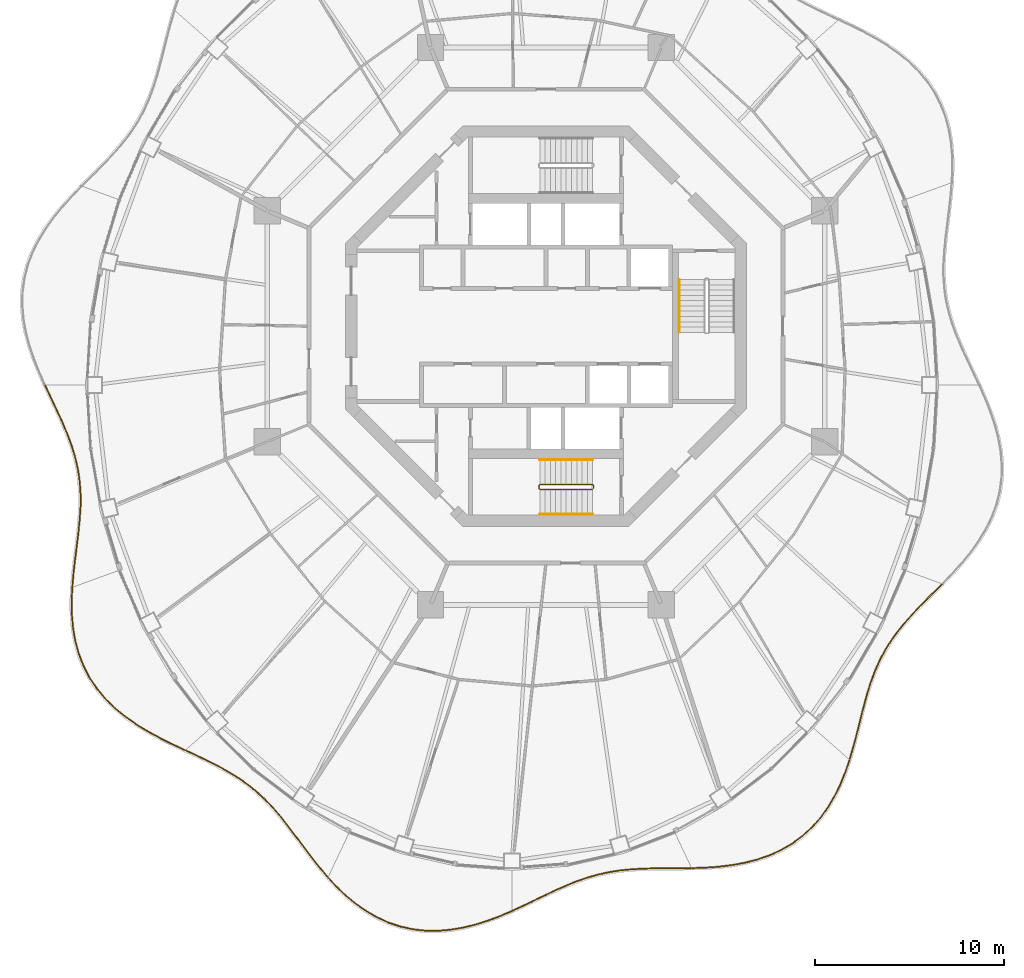
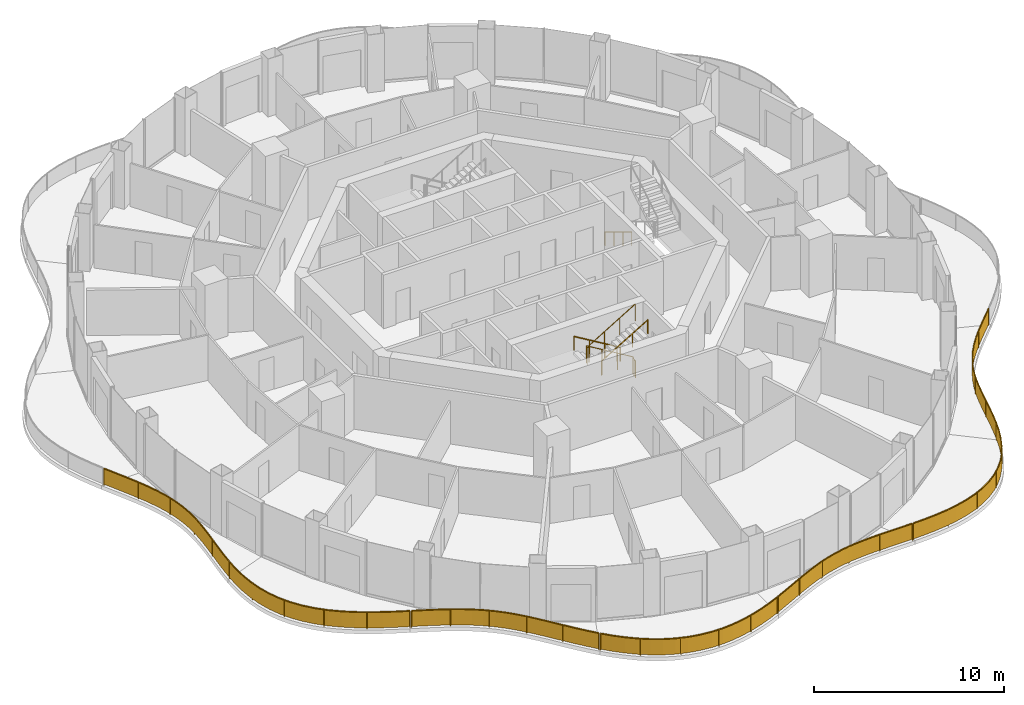
# One storey, part 15 of 17: 11 railings.
"""IFC4 building model written with IfcOpenShell, lengths in metres."""

import ifcopenshell
import ifcopenshell.guid

model = None  # the IFC model being written
_history = None  # IfcOwnerHistory: only IFC2X3 demands one
_inside = {}  # id of a spatial element -> (the spatial element, [elements in it])
_under = {}  # id of a project, library or spatial element -> (it, [spatial elements below it])
_declared = {}  # id of a project -> (the project, [libraries it declares])
_typed = {}  # id of a type object -> (the type object, [elements of that type])
_made_of = {}  # id of a material, layer set ... -> (it, [elements and type objects made of it])


def new_model(schema):
    """Start an empty IFC model of exactly this schema.

    Asked for "IFC4X3", IfcOpenShell would pick the latest addendum, in which some entities
    have other attributes; the version numbers below select the first issue.
    IFC2X3 requires an IfcOwnerHistory on every rooted entity: one is made here for all.
    """
    global model, _history
    if schema == "IFC4X3":
        model = ifcopenshell.file(schema_version=(4, 3, 0, 0))
    else:
        model = ifcopenshell.file(schema=schema)
    _inside.clear()
    _under.clear()
    _declared.clear()
    _typed.clear()
    _made_of.clear()
    _history = None
    if model.schema == "IFC2X3":
        org = make("IfcOrganization", Name="unknown")
        user = make(
            "IfcPersonAndOrganization",
            ThePerson=make("IfcPerson", FamilyName="unknown"),
            TheOrganization=org,
        )
        app = make(
            "IfcApplication",
            ApplicationDeveloper=org,
            Version="unknown",
            ApplicationFullName="unknown",
            ApplicationIdentifier="unknown",
        )
        _history = make(
            "IfcOwnerHistory",
            OwningUser=user,
            OwningApplication=app,
            ChangeAction="ADDED",
            CreationDate=0,
        )
    return model


def make(cls, **values):
    """One entity of the class cls with the attributes given. An attribute that is None is left unset."""
    return model.create_entity(
        cls, **{name: value for name, value in values.items() if value is not None}
    )


def rooted(cls, **values):
    """An entity with a GlobalId (a new one), such as an element, a storey or a relation."""
    return make(cls, GlobalId=ifcopenshell.guid.new(), OwnerHistory=_history, **values)


def si_unit(unit_type, name, prefix=None):
    """IfcSIUnit, for example si_unit("LENGTHUNIT", "METRE", prefix="MILLI")."""
    return make("IfcSIUnit", UnitType=unit_type, Prefix=prefix, Name=name)


def assignment(units):
    """IfcUnitAssignment: the units of a project."""
    return None if units is None else make("IfcUnitAssignment", Units=units)


def point(xyz):
    """IfcCartesianPoint."""
    return None if xyz is None else make("IfcCartesianPoint", Coordinates=xyz)


def direction(xyz):
    """IfcDirection."""
    return None if xyz is None else make("IfcDirection", DirectionRatios=xyz)


def frame(location, z_axis=None, x_axis=None):
    """IfcAxis2Placement3D, a coordinate frame: its origin and axes. An axis left out is left unset."""
    return make(
        "IfcAxis2Placement3D",
        Location=point(location),
        Axis=direction(z_axis),
        RefDirection=direction(x_axis),
    )


def frame_2d(location, x_axis=None):
    """IfcAxis2Placement2D, a coordinate frame in the plane: its origin and x axis."""
    return make(
        "IfcAxis2Placement2D", Location=point(location), RefDirection=direction(x_axis)
    )


def origin():
    """The frame at (0, 0, 0) with its axes left unset."""
    return frame((0.0, 0.0, 0.0))


def origin_2d():
    """The frame at (0, 0) in the plane with its x axis left unset."""
    return frame_2d((0.0, 0.0))


def place(relative_to, where):
    """IfcLocalPlacement: puts the frame where relative to a parent placement (None: the world)."""
    return make(
        "IfcLocalPlacement", PlacementRelTo=relative_to, RelativePlacement=where
    )


def context(
    kind, dimensions, precision=None, world=None, true_north=None, identifier=None
):
    """IfcGeometricRepresentationContext, for example the 3D "Model" context."""
    return make(
        "IfcGeometricRepresentationContext",
        ContextIdentifier=identifier,
        ContextType=kind,
        CoordinateSpaceDimension=dimensions,
        Precision=precision,
        WorldCoordinateSystem=world,
        TrueNorth=true_north,
    )


def subcontext(parent, identifier, kind, view, scale=None):
    """IfcGeometricRepresentationSubContext, for example "Body" below "Model"."""
    return make(
        "IfcGeometricRepresentationSubContext",
        ContextIdentifier=identifier,
        ContextType=kind,
        ParentContext=parent,
        TargetScale=scale,
        TargetView=view,
    )


def project(units=None, contexts=None):
    """IfcProject with its units and contexts."""
    return rooted(
        "IfcProject",
        Name="project",
        RepresentationContexts=contexts,
        UnitsInContext=assignment(units),
    )


def spatial(cls, under=None, at=None, **own):
    """A site, building, storey or space (cls), placed at a placement, below another one or the project."""
    s = rooted(cls, ObjectPlacement=at, **own)
    if under is not None:
        _under.setdefault(under.id(), (under, []))[1].append(s)
    return s


def polyline(points):
    """IfcPolyline through the points."""
    return make("IfcPolyline", Points=[point(p) for p in points])


def profile(cls, at=None, kind="AREA", **sizes):
    """A parametric profile (cls). Its sizes go by their IFC names, for example OverallWidth=200.0."""
    return make(cls, ProfileType=kind, Position=at, **sizes)


def rectangle(**sizes):
    """IfcRectangleProfileDef."""
    return profile("IfcRectangleProfileDef", **sizes)


def circle(**sizes):
    """IfcCircleProfileDef."""
    return profile("IfcCircleProfileDef", **sizes)


def outline(outer, holes=None, kind="AREA"):
    """IfcArbitraryClosedProfileDef: a profile drawn as a closed curve; with holes, ...WithVoids."""
    if holes is None:
        return make("IfcArbitraryClosedProfileDef", ProfileType=kind, OuterCurve=outer)
    return make(
        "IfcArbitraryProfileDefWithVoids",
        ProfileType=kind,
        OuterCurve=outer,
        InnerCurves=holes,
    )


def extrude(swept, where, along, depth):
    """IfcExtrudedAreaSolid: the profile swept, set in the frame where, extruded along a direction by depth."""
    return make(
        "IfcExtrudedAreaSolid",
        SweptArea=swept,
        Position=where,
        ExtrudedDirection=direction(along),
        Depth=depth,
    )


def shape(context_of_items, identifier, shape_type, items):
    """IfcShapeRepresentation: the items that make up one representation, for example the "Body"."""
    return make(
        "IfcShapeRepresentation",
        ContextOfItems=context_of_items,
        RepresentationIdentifier=identifier,
        RepresentationType=shape_type,
        Items=items,
    )


def material(Name=None, Category=None):
    """IfcMaterial."""
    return make("IfcMaterial", Name=Name, Category=Category)


def made_of(thing, what):
    """Note that an element or type object is made of a material, layer set ...; save() writes the relation."""
    if what is not None:
        _made_of.setdefault(what.id(), (what, []))[1].append(thing)
    return thing


def type_object(cls, material=None, **own):
    """A type object (cls), such as IfcWallType, which elements share."""
    return made_of(rooted(cls, **own), material)


def element(
    cls,
    number,
    at=None,
    inside=None,
    cuts=None,
    type_object=None,
    material=None,
    context=None,
    identifier="Body",
    shape_type=None,
    held_by="IfcProductDefinitionShape",
    body=None,
    shapes=None,
    **own,
):
    """One element of the class cls, such as IfcWall. Its Tag is "e" and its number.

    at: its placement. inside: the storey or other place that contains it. cuts: it is an
    opening in that element (IfcRelVoidsElement). A single representation is given by context,
    identifier, shape_type and body (its items); several are given by shapes. held_by: the class
    of the entity that holds the representations. save() writes the other relations.
    """
    e = rooted(cls, Tag="e%d" % number, ObjectPlacement=at, **own)
    if body is not None:
        shapes = [shape(context, identifier, shape_type, body)]
    if shapes is not None:
        e.Representation = make(held_by, Representations=shapes)
    if inside is not None:
        _inside.setdefault(inside.id(), (inside, []))[1].append(e)
    if cuts is not None:
        rooted(
            "IfcRelVoidsElement", RelatingBuildingElement=cuts, RelatedOpeningElement=e
        )
    if type_object is not None:
        _typed.setdefault(type_object.id(), (type_object, []))[1].append(e)
    return made_of(e, material)


def aggregate(whole, parts):
    """IfcRelAggregates: a whole, such as a stair, and the parts it consists of."""
    return rooted("IfcRelAggregates", RelatingObject=whole, RelatedObjects=parts)


def save(model, path):
    """Write the relations noted so far, then the file.

    IfcRelAggregates (storeys below a building ...), IfcRelContainedInSpatialStructure (elements
    in a storey), IfcRelDefinesByType, IfcRelAssociatesMaterial and IfcRelDeclares: one each for
    every whole, place, type object, material and project.
    """
    for whole, parts in _under.values():
        aggregate(whole, parts)
    for where, things in _inside.values():
        rooted(
            "IfcRelContainedInSpatialStructure",
            RelatedElements=things,
            RelatingStructure=where,
        )
    for kind, things in _typed.values():
        rooted("IfcRelDefinesByType", RelatedObjects=things, RelatingType=kind)
    for what, things in _made_of.values():
        rooted("IfcRelAssociatesMaterial", RelatedObjects=things, RelatingMaterial=what)
    for by, libraries in _declared.values():
        rooted("IfcRelDeclares", RelatingContext=by, RelatedDefinitions=libraries)
    model.write(path)


model = new_model("IFC4")

# Units and contexts
model_context = context("Model", 3, precision=1e-05, world=origin(), true_north=direction((0.0, 1.0)))
body_context = subcontext(model_context, "Body", "Model", "MODEL_VIEW")
ifc_project = project(units=[si_unit("LENGTHUNIT", "METRE"), si_unit("AREAUNIT", "SQUARE_METRE"), si_unit("VOLUMEUNIT", "CUBIC_METRE"), si_unit("PLANEANGLEUNIT", "RADIAN"), si_unit("MASSUNIT", "GRAM", prefix="KILO")], contexts=[model_context])

# Site, building, storey
site_placement = place(None, origin())
site = spatial("IfcSite", under=ifc_project, at=site_placement, CompositionType="ELEMENT")
building_placement = place(site_placement, origin())
building = spatial("IfcBuilding", under=site, at=building_placement, Name="Nagisa Residences", CompositionType="ELEMENT")
storey_placement = place(building_placement, frame((0.0, 0.0, 269.60009765625)))
storey = spatial("IfcBuildingStorey", under=building, at=storey_placement, Name="L68", CompositionType="ELEMENT", Elevation=269.60009765625)

# Railings
ifc_material_1 = material(Name="Stainless steel 316", Category="steel")
railing_type_1 = type_object("IfcRailingType", Name="BALCONY GUARD 1100", PredefinedType="BALUSTRADE", material=ifc_material_1)
railing_1_placement = place(storey_placement, frame((-26.554443359375, -3.152099609375, 0.0)))
element("IfcRailing", 1, at=railing_1_placement, inside=storey, type_object=railing_type_1, Name="guard:L68:bal08-0", PredefinedType="BALUSTRADE", context=body_context, shape_type="SweptSolid", body=[
    extrude(outline(polyline([(0.31982421875, -0.6181640625), (0.022705078125, 0.0107421875), (-0.022705078125, -0.0107421875), (0.2744140625, -0.6396484375), (0.586181640625, -1.296875), (0.88232421875, -1.942626953125), (1.152099609375, -2.57958984375), (1.385009765625, -3.210693359375), (1.572998046875, -3.826171875), (1.71435546875, -4.4580078125), (1.806396484375, -5.096435546875), (1.849609375, -5.7451171875), (1.8486328125, -6.407958984375), (1.806640625, -7.0732421875), (1.73876953125, -7.769287109375), (1.65283203125, -8.482421875), (1.561279296875, -9.211181640625), (1.47705078125, -9.952392578125), (1.4150390625, -10.65625), (1.46484375, -10.66064453125), (1.52685546875, -9.957275390625), (1.611083984375, -9.217041015625), (1.70263671875, -8.48876953125), (1.78857421875, -7.774658203125), (1.8564453125, -7.0771484375), (1.8984375, -6.409423828125), (1.89990234375, -5.74365234375), (1.856201171875, -5.091064453125), (1.763671875, -4.44873046875), (1.621337890625, -3.8134765625), (1.432373046875, -3.194580078125), (1.198486328125, -2.56103515625), (0.92822265625, -1.922607421875), (0.631591796875, -1.27587890625), (0.31982421875, -0.6181640625)])), frame((0.0, 0.0, 1.050048828125)), (0.0, 0.0, 1.0), 0.050048828125),
    extrude(outline(polyline([(0.303466796875, -0.6259765625), (0.00634765625, 0.0029296875), (-0.00634765625, -0.0029296875), (0.290771484375, -0.6318359375), (0.6025390625, -1.289306640625), (0.89892578125, -1.935546875), (1.168701171875, -2.572998046875), (1.402099609375, -3.204833984375), (1.59033203125, -3.821533203125), (1.732177734375, -4.45458984375), (1.82421875, -5.094482421875), (1.86767578125, -5.74462890625), (1.866455078125, -6.408447265625), (1.824462890625, -7.07470703125), (1.756591796875, -7.771240234375), (1.6708984375, -8.484619140625), (1.579345703125, -9.21337890625), (1.494873046875, -9.9541015625), (1.432861328125, -10.65771484375), (1.447021484375, -10.6591796875), (1.509033203125, -9.95556640625), (1.593017578125, -9.21484375), (1.6845703125, -8.486572265625), (1.770751953125, -7.772705078125), (1.838623046875, -7.07568359375), (1.880615234375, -6.408935546875), (1.8818359375, -5.744140625), (1.83837890625, -5.093017578125), (1.745849609375, -4.4521484375), (1.60400390625, -3.818115234375), (1.415283203125, -3.200439453125), (1.181884765625, -2.567626953125), (0.91162109375, -1.9296875), (0.615234375, -1.283447265625), (0.303466796875, -0.6259765625)])), frame((0.0, 0.0, 0.06005859375)), (0.0, 0.0, 1.0), 0.989990234375),
    extrude(rectangle(XDim=0.0400390625, YDim=0.0400390625, at=origin_2d()), origin(), (0.0, 0.0, 1.0), 1.050048828125),
    extrude(rectangle(XDim=0.0400390625, YDim=0.0400390625, at=origin_2d()), frame((0.933349609375, -1.9990234375, 0.0)), (0.0, 0.0, 1.0), 1.050048828125),
    extrude(rectangle(XDim=0.0400390625, YDim=0.0400390625, at=origin_2d()), frame((1.655517578125, -4.079833984375, 0.0)), (0.0, 0.0, 1.0), 1.050048828125),
    extrude(rectangle(XDim=0.0400390625, YDim=0.0400390625, at=origin_2d()), frame((1.873779296875, -6.268798828125, 0.0)), (0.0, 0.0, 1.0), 1.050048828125),
    extrude(rectangle(XDim=0.0400390625, YDim=0.0400390625, at=origin_2d()), frame((1.68017578125, -8.465576171875, 0.0)), (0.0, 0.0, 1.0), 1.050048828125),
    extrude(rectangle(XDim=0.0400390625, YDim=0.0400390625, at=origin_2d()), frame((1.43994140625, -10.658447265625, 0.0)), (0.0, 0.0, 1.0), 1.050048828125),
])
railing_2_placement = place(storey_placement, frame((-25.12060546875, -13.887451171875, 0.0)))
element("IfcRailing", 2, at=railing_2_placement, inside=storey, type_object=railing_type_1, Name="guard:L68:bal09-0", PredefinedType="BALUSTRADE", context=body_context, shape_type="SweptSolid", body=[
    extrude(outline(polyline([(-0.00537109375, -0.683349609375), (0.02490234375, -0.001220703125), (-0.02490234375, 0.001220703125), (-0.0556640625, -0.682861328125), (-0.04345703125, -1.409423828125), (0.019775390625, -2.12744140625), (0.142578125, -2.830078125), (0.329833984375, -3.510986328125), (0.578369140625, -4.15087890625), (0.902099609375, -4.77099609375), (1.29248046875, -5.353759765625), (1.74609375, -5.89599609375), (2.256591796875, -6.396484375), (2.807861328125, -6.84326171875), (3.40576171875, -7.260986328125), (4.033935546875, -7.643310546875), (4.6806640625, -7.99462890625), (5.335693359375, -8.32080078125), (5.948974609375, -8.608642578125), (5.970458984375, -8.563232421875), (5.357666015625, -8.27587890625), (4.70361328125, -7.9501953125), (4.058837890625, -7.599853515625), (3.43310546875, -7.218994140625), (2.838134765625, -6.80322265625), (2.289794921875, -6.35888671875), (1.78271484375, -5.86181640625), (1.33251953125, -5.323486328125), (0.945068359375, -4.74560546875), (0.623779296875, -4.13037109375), (0.377197265625, -3.495361328125), (0.19140625, -2.8193359375), (0.069580078125, -2.12109375), (0.00634765625, -1.406982421875), (-0.00537109375, -0.683349609375)])), frame((0.0, 0.0, 1.050048828125)), (0.0, 0.0, 1.0), 0.050048828125),
    extrude(outline(polyline([(-0.0234375, -0.68310546875), (0.007080078125, -0.000244140625), (-0.007080078125, 0.000244140625), (-0.03759765625, -0.68310546875), (-0.025634765625, -1.408447265625), (0.037841796875, -2.125244140625), (0.16015625, -2.826171875), (0.346923828125, -3.50537109375), (0.5947265625, -4.1435546875), (0.91748046875, -4.761962890625), (1.306884765625, -5.3427734375), (1.75927734375, -5.883544921875), (2.2685546875, -6.3828125), (2.81884765625, -6.828857421875), (3.41552734375, -7.245849609375), (4.04296875, -7.627685546875), (4.68896484375, -7.978515625), (5.34375, -8.3046875), (5.956787109375, -8.59228515625), (5.962646484375, -8.57958984375), (5.349609375, -8.2919921875), (4.6953125, -7.96630859375), (4.0498046875, -7.615478515625), (3.42333984375, -7.234130859375), (2.8271484375, -6.817626953125), (2.27783203125, -6.37255859375), (1.76953125, -5.874267578125), (1.318115234375, -5.33447265625), (0.9296875, -4.754638671875), (0.607421875, -4.1376953125), (0.360107421875, -3.5009765625), (0.173828125, -2.8232421875), (0.051513671875, -2.123291015625), (-0.011474609375, -1.407958984375), (-0.0234375, -0.68310546875)])), frame((0.0, 0.0, 0.06005859375)), (0.0, 0.0, 1.0), 0.989990234375),
    extrude(rectangle(XDim=0.0400390625, YDim=0.0400390625, at=origin_2d()), origin(), (0.0, 0.0, 1.0), 1.050048828125),
    extrude(rectangle(XDim=0.0400390625, YDim=0.0400390625, at=origin_2d()), frame((0.069091796875, -2.264404296875, 0.0)), (0.0, 0.0, 1.0), 1.050048828125),
    extrude(rectangle(XDim=0.0400390625, YDim=0.0400390625, at=origin_2d()), frame((0.746337890625, -4.4189453125, 0.0)), (0.0, 0.0, 1.0), 1.050048828125),
    extrude(rectangle(XDim=0.0400390625, YDim=0.0400390625, at=origin_2d()), frame((2.1103515625, -6.218017578125, 0.0)), (0.0, 0.0, 1.0), 1.050048828125),
    extrude(rectangle(XDim=0.0400390625, YDim=0.0400390625, at=origin_2d()), frame((3.93798828125, -7.5556640625, 0.0)), (0.0, 0.0, 1.0), 1.050048828125),
    extrude(rectangle(XDim=0.0400390625, YDim=0.0400390625, at=origin_2d()), frame((5.959716796875, -8.5859375, 0.0)), (0.0, 0.0, 1.0), 1.050048828125),
])
railing_3_placement = place(storey_placement, frame((-19.091552734375, -22.50390625, 0.0)))
element("IfcRailing", 3, at=railing_3_placement, inside=storey, type_object=railing_type_1, Name="guard:L68:bal10-0", PredefinedType="BALUSTRADE", context=body_context, shape_type="SweptSolid", body=[
    extrude(outline(polyline([(0.583251953125, -0.2421875), (0.010498046875, 0.022705078125), (-0.010498046875, -0.022705078125), (0.561767578125, -0.28759765625), (1.157470703125, -0.572509765625), (1.730712890625, -0.864013671875), (2.278564453125, -1.169189453125), (2.79833984375, -1.494140625), (3.278076171875, -1.833740234375), (3.743408203125, -2.212890625), (4.18505859375, -2.623779296875), (4.607421875, -3.06689453125), (5.015869140625, -3.541259765625), (5.403076171875, -4.03515625), (5.802978515625, -4.5615234375), (6.208740234375, -5.104736328125), (6.626708984375, -5.656982421875), (7.0634765625, -6.208740234375), (7.490966796875, -6.716064453125), (7.529052734375, -6.683837890625), (7.10205078125, -6.177001953125), (6.666259765625, -5.626220703125), (6.248779296875, -5.074462890625), (5.843017578125, -4.53125), (5.442626953125, -4.00439453125), (5.054443359375, -3.509521484375), (4.64453125, -3.033203125), (4.22021484375, -2.588134765625), (3.776123046875, -2.17529296875), (3.308349609375, -1.793701171875), (2.826171875, -1.45263671875), (2.303955078125, -1.126220703125), (1.754150390625, -0.820068359375), (1.179443359375, -0.527587890625), (0.583251953125, -0.2421875)])), frame((0.0, 0.0, 1.050048828125)), (0.0, 0.0, 1.0), 0.050048828125),
    extrude(outline(polyline([(0.575439453125, -0.258544921875), (0.0029296875, 0.00634765625), (-0.0029296875, -0.00634765625), (0.569580078125, -0.271240234375), (1.165283203125, -0.556396484375), (1.7392578125, -0.84814453125), (2.28759765625, -1.15380859375), (2.808349609375, -1.479248046875), (3.2890625, -1.8193359375), (3.755126953125, -2.199462890625), (4.19775390625, -2.61083984375), (4.620849609375, -3.0546875), (5.02978515625, -3.52978515625), (5.417236328125, -4.024169921875), (5.8173828125, -4.550537109375), (6.22314453125, -5.09375), (6.640869140625, -5.64599609375), (7.077392578125, -6.197265625), (7.504638671875, -6.704345703125), (7.515380859375, -6.695556640625), (7.088134765625, -6.1884765625), (6.652099609375, -5.63720703125), (6.234375, -5.08544921875), (5.82861328125, -4.542236328125), (5.428466796875, -4.015380859375), (5.04052734375, -3.52099609375), (4.631103515625, -3.04541015625), (4.20751953125, -2.60107421875), (3.764404296875, -2.188720703125), (3.29736328125, -1.80810546875), (2.816162109375, -1.467529296875), (2.294921875, -1.1416015625), (1.74560546875, -0.8359375), (1.171630859375, -0.543701171875), (0.575439453125, -0.258544921875)])), frame((0.0, 0.0, 0.06005859375)), (0.0, 0.0, 1.0), 0.989990234375),
    extrude(rectangle(XDim=0.0400390625, YDim=0.0400390625, at=origin_2d()), origin(), (0.0, 0.0, 1.0), 1.050048828125),
    extrude(rectangle(XDim=0.0400390625, YDim=0.0400390625, at=origin_2d()), frame((1.8408203125, -0.89697265625, 0.0)), (0.0, 0.0, 1.0), 1.050048828125),
    extrude(rectangle(XDim=0.0400390625, YDim=0.0400390625, at=origin_2d()), frame((3.54833984375, -2.021728515625, 0.0)), (0.0, 0.0, 1.0), 1.050048828125),
    extrude(rectangle(XDim=0.0400390625, YDim=0.0400390625, at=origin_2d()), frame((4.9892578125, -3.47216796875, 0.0)), (0.0, 0.0, 1.0), 1.050048828125),
    extrude(rectangle(XDim=0.0400390625, YDim=0.0400390625, at=origin_2d()), frame((6.23486328125, -5.09765625, 0.0)), (0.0, 0.0, 1.0), 1.050048828125),
    extrude(rectangle(XDim=0.0400390625, YDim=0.0400390625, at=origin_2d()), frame((7.510009765625, -6.699951171875, 0.0)), (0.0, 0.0, 1.0), 1.050048828125),
])
railing_4_placement = place(storey_placement, frame((-11.53125, -29.26220703125, 0.0)))
element("IfcRailing", 4, at=railing_4_placement, inside=storey, type_object=railing_type_1, Name="guard:L68:bal11-0", PredefinedType="BALUSTRADE", context=body_context, shape_type="SweptSolid", body=[
    extrude(outline(polyline([(0.452880859375, -0.45166015625), (0.018310546875, 0.01708984375), (-0.018310546875, -0.01708984375), (0.417236328125, -0.48681640625), (0.9150390625, -0.960205078125), (1.442626953125, -1.3955078125), (1.99951171875, -1.7841796875), (2.584228515625, -2.11865234375), (3.1796875, -2.388671875), (3.813720703125, -2.598876953125), (4.46630859375, -2.741943359375), (5.13232421875, -2.817138671875), (5.806884765625, -2.825927734375), (6.46923828125, -2.7685546875), (7.142822265625, -2.655029296875), (7.8125, -2.490234375), (8.47216796875, -2.281494140625), (9.11865234375, -2.038330078125), (9.7060546875, -1.78564453125), (9.6865234375, -1.73974609375), (9.10009765625, -1.991943359375), (8.45556640625, -2.234130859375), (7.798828125, -2.44189453125), (7.132568359375, -2.606201171875), (6.462890625, -2.71875), (5.804931640625, -2.775634765625), (5.13525390625, -2.767333984375), (4.474609375, -2.692626953125), (3.826904296875, -2.550537109375), (3.19775390625, -2.341796875), (2.607177734375, -2.07421875), (2.0263671875, -1.74169921875), (1.472900390625, -1.35546875), (0.9482421875, -0.922607421875), (0.452880859375, -0.45166015625)])), frame((0.0, 0.0, 1.050048828125)), (0.0, 0.0, 1.0), 0.050048828125),
    extrude(outline(polyline([(0.43994140625, -0.46435546875), (0.005126953125, 0.004638671875), (-0.005126953125, -0.004638671875), (0.43017578125, -0.47412109375), (0.927001953125, -0.946533203125), (1.45361328125, -1.381103515625), (2.00927734375, -1.768798828125), (2.592529296875, -2.102783203125), (3.186279296875, -2.371826171875), (3.818359375, -2.58154296875), (4.46923828125, -2.72412109375), (5.13330078125, -2.79931640625), (5.80615234375, -2.807861328125), (6.467041015625, -2.75048828125), (7.13916015625, -2.637451171875), (7.8076171875, -2.472900390625), (8.466064453125, -2.264404296875), (9.112060546875, -2.021728515625), (9.698974609375, -1.76904296875), (9.693603515625, -1.75634765625), (9.106689453125, -2.008544921875), (8.461669921875, -2.251220703125), (7.8037109375, -2.459228515625), (7.13623046875, -2.623779296875), (6.465087890625, -2.73681640625), (5.8056640625, -2.793701171875), (5.13427734375, -2.78515625), (4.4716796875, -2.71044921875), (3.822265625, -2.56787109375), (3.191162109375, -2.358642578125), (2.598876953125, -2.090087890625), (2.0166015625, -1.757080078125), (1.4619140625, -1.369873046875), (0.936279296875, -0.936279296875), (0.43994140625, -0.46435546875)])), frame((0.0, 0.0, 0.06005859375)), (0.0, 0.0, 1.0), 0.989990234375),
    extrude(rectangle(XDim=0.0400390625, YDim=0.0400390625, at=origin_2d()), origin(), (0.0, 0.0, 1.0), 1.050048828125),
    extrude(rectangle(XDim=0.0400390625, YDim=0.0400390625, at=origin_2d()), frame((1.5712890625, -1.45458984375, 0.0)), (0.0, 0.0, 1.0), 1.050048828125),
    extrude(rectangle(XDim=0.0400390625, YDim=0.0400390625, at=origin_2d()), frame((3.458740234375, -2.454833984375, 0.0)), (0.0, 0.0, 1.0), 1.050048828125),
    extrude(rectangle(XDim=0.0400390625, YDim=0.0400390625, at=origin_2d()), frame((5.565185546875, -2.797607421875, 0.0)), (0.0, 0.0, 1.0), 1.050048828125),
    extrude(rectangle(XDim=0.0400390625, YDim=0.0400390625, at=origin_2d()), frame((7.6826171875, -2.496337890625, 0.0)), (0.0, 0.0, 1.0), 1.050048828125),
    extrude(rectangle(XDim=0.0400390625, YDim=0.0400390625, at=origin_2d()), frame((9.6962890625, -1.7626953125, 0.0)), (0.0, 0.0, 1.0), 1.050048828125),
])
railing_5_placement = place(storey_placement, frame((-1.765625, -30.992431640625, 0.0)))
element("IfcRailing", 5, at=railing_5_placement, inside=storey, type_object=railing_type_1, Name="guard:L68:bal12-0", PredefinedType="BALUSTRADE", context=body_context, shape_type="SweptSolid", body=[
    extrude(outline(polyline([(0.561279296875, 0.288330078125), (-0.010498046875, 0.022705078125), (0.010498046875, -0.022705078125), (0.582763671875, 0.242919921875), (1.182861328125, 0.530517578125), (1.76904296875, 0.813232421875), (2.343017578125, 1.082763671875), (2.908203125, 1.331298828125), (3.45068359375, 1.55029296875), (4.0087890625, 1.740478515625), (4.570556640625, 1.897216796875), (5.13916015625, 2.02001953125), (5.71826171875, 2.110107421875), (6.294189453125, 2.165283203125), (6.90283203125, 2.200927734375), (7.5283203125, 2.2177734375), (8.170166015625, 2.22314453125), (8.827392578125, 2.2255859375), (9.45068359375, 2.23095703125), (9.4501953125, 2.28076171875), (8.826904296875, 2.275390625), (8.169677734375, 2.27294921875), (7.52734375, 2.267578125), (6.90087890625, 2.250732421875), (6.290283203125, 2.215087890625), (5.7119140625, 2.159912109375), (5.1298828125, 2.0693359375), (4.558349609375, 1.946044921875), (3.994140625, 1.788330078125), (3.43310546875, 1.59716796875), (2.888671875, 1.377197265625), (2.322509765625, 1.128173828125), (1.74755859375, 0.858642578125), (1.161376953125, 0.575439453125), (0.561279296875, 0.288330078125)])), frame((0.0, 0.0, 1.050048828125)), (0.0, 0.0, 1.0), 0.050048828125),
    extrude(outline(polyline([(0.569091796875, 0.27197265625), (-0.0029296875, 0.00634765625), (0.0029296875, -0.00634765625), (0.574951171875, 0.25927734375), (1.175048828125, 0.546630859375), (1.76123046875, 0.82958984375), (2.335693359375, 1.09912109375), (2.901123046875, 1.347900390625), (3.4443359375, 1.567138671875), (4.00341796875, 1.7578125), (4.566162109375, 1.914794921875), (5.1357421875, 2.037841796875), (5.716064453125, 2.128173828125), (6.292724609375, 2.18310546875), (6.902099609375, 2.21875), (7.528076171875, 2.235595703125), (8.169921875, 2.240966796875), (8.8271484375, 2.243408203125), (9.450439453125, 2.248779296875), (9.450439453125, 2.262939453125), (8.8271484375, 2.257568359375), (8.169921875, 2.255126953125), (7.527587890625, 2.249755859375), (6.901611328125, 2.23291015625), (6.291748046875, 2.197265625), (5.714111328125, 2.141845703125), (5.13330078125, 2.051513671875), (4.562744140625, 1.928466796875), (3.99951171875, 1.77099609375), (3.439453125, 1.580322265625), (2.895751953125, 1.360595703125), (2.329833984375, 1.11181640625), (1.75537109375, 0.84228515625), (1.169189453125, 0.559326171875), (0.569091796875, 0.27197265625)])), frame((0.0, 0.0, 0.06005859375)), (0.0, 0.0, 1.0), 0.989990234375),
    extrude(rectangle(XDim=0.0400390625, YDim=0.0400390625, at=origin_2d()), origin(), (0.0, 0.0, 1.0), 1.050048828125),
    extrude(rectangle(XDim=0.0400390625, YDim=0.0400390625, at=origin_2d()), frame((1.782958984375, 0.84765625, 0.0)), (0.0, 0.0, 1.0), 1.050048828125),
    extrude(rectangle(XDim=0.0400390625, YDim=0.0400390625, at=origin_2d()), frame((3.59619140625, 1.626220703125, 0.0)), (0.0, 0.0, 1.0), 1.050048828125),
    extrude(rectangle(XDim=0.0400390625, YDim=0.0400390625, at=origin_2d()), frame((5.50830078125, 2.102783203125, 0.0)), (0.0, 0.0, 1.0), 1.050048828125),
    extrude(rectangle(XDim=0.0400390625, YDim=0.0400390625, at=origin_2d()), frame((7.476318359375, 2.2412109375, 0.0)), (0.0, 0.0, 1.0), 1.050048828125),
    extrude(rectangle(XDim=0.0400390625, YDim=0.0400390625, at=origin_2d()), frame((9.450439453125, 2.255859375, 0.0)), (0.0, 0.0, 1.0), 1.050048828125),
])
railing_6_placement = place(storey_placement, frame((7.760986328125, -28.736572265625, 0.0)))
element("IfcRailing", 6, at=railing_6_placement, inside=storey, type_object=railing_type_1, Name="guard:L68:bal13-0", PredefinedType="BALUSTRADE", context=body_context, shape_type="SweptSolid", body=[
    extrude(outline(polyline([(0.65673828125, 0.044677734375), (-0.000732421875, 0.02490234375), (0.000732421875, -0.02490234375), (0.6591796875, -0.005126953125), (1.367919921875, 0.04443359375), (2.074462890625, 0.12841796875), (2.7724609375, 0.2548828125), (3.45166015625, 0.428955078125), (4.098388671875, 0.65087890625), (4.725830078125, 0.937744140625), (5.316650390625, 1.283447265625), (5.864990234375, 1.687255859375), (6.366943359375, 2.146484375), (6.807861328125, 2.646728515625), (7.211181640625, 3.203369140625), (7.565185546875, 3.799072265625), (7.873046875, 4.42626953125), (8.138427734375, 5.07666015625), (8.350341796875, 5.699462890625), (8.302978515625, 5.715576171875), (8.091552734375, 5.09423828125), (7.8271484375, 4.44677734375), (7.521240234375, 3.822998046875), (7.169189453125, 3.230712890625), (6.768798828125, 2.677978515625), (6.331298828125, 2.181640625), (5.833251953125, 1.725830078125), (5.289306640625, 1.325439453125), (4.702880859375, 0.982177734375), (4.079833984375, 0.697265625), (3.4375, 0.476806640625), (2.76171875, 0.3037109375), (2.067138671875, 0.177734375), (1.363037109375, 0.09423828125), (0.65673828125, 0.044677734375)])), frame((0.0, 0.0, 1.050048828125)), (0.0, 0.0, 1.0), 0.050048828125),
    extrude(outline(polyline([(0.65771484375, 0.02685546875), (-0.000244140625, 0.007080078125), (0.000244140625, -0.007080078125), (0.658203125, 0.0126953125), (1.3662109375, 0.062255859375), (2.07177734375, 0.146240234375), (2.7685546875, 0.2724609375), (3.446533203125, 0.4462890625), (4.091796875, 0.66748046875), (4.717529296875, 0.953857421875), (5.306884765625, 1.298583984375), (5.853515625, 1.701171875), (6.35400390625, 2.1591796875), (6.793701171875, 2.657958984375), (7.196044921875, 3.213134765625), (7.54931640625, 3.8076171875), (7.8564453125, 4.43359375), (8.12158203125, 5.0830078125), (8.333251953125, 5.705322265625), (8.320068359375, 5.709716796875), (8.1083984375, 5.087890625), (7.84375, 4.439453125), (7.537109375, 3.814453125), (7.184326171875, 3.220947265625), (6.782958984375, 2.666748046875), (6.34423828125, 2.1689453125), (5.8447265625, 1.7119140625), (5.299072265625, 1.310302734375), (4.711181640625, 0.966064453125), (4.08642578125, 0.6806640625), (3.442626953125, 0.45947265625), (2.765625, 0.2861328125), (2.06982421875, 0.159912109375), (1.36474609375, 0.076416015625), (0.65771484375, 0.02685546875)])), frame((0.0, 0.0, 0.06005859375)), (0.0, 0.0, 1.0), 0.989990234375),
    extrude(rectangle(XDim=0.0400390625, YDim=0.0400390625, at=origin_2d()), origin(), (0.0, 0.0, 1.0), 1.050048828125),
    extrude(rectangle(XDim=0.0400390625, YDim=0.0400390625, at=origin_2d()), frame((2.1884765625, 0.17431640625, 0.0)), (0.0, 0.0, 1.0), 1.050048828125),
    extrude(rectangle(XDim=0.0400390625, YDim=0.0400390625, at=origin_2d()), frame((4.296875, 0.76904296875, 0.0)), (0.0, 0.0, 1.0), 1.050048828125),
    extrude(rectangle(XDim=0.0400390625, YDim=0.0400390625, at=origin_2d()), frame((6.1279296875, 1.961669921875, 0.0)), (0.0, 0.0, 1.0), 1.050048828125),
    extrude(rectangle(XDim=0.0400390625, YDim=0.0400390625, at=origin_2d()), frame((7.470458984375, 3.6884765625, 0.0)), (0.0, 0.0, 1.0), 1.050048828125),
    extrude(rectangle(XDim=0.0400390625, YDim=0.0400390625, at=origin_2d()), frame((8.32666015625, 5.70751953125, 0.0)), (0.0, 0.0, 1.0), 1.050048828125),
])
railing_7_placement = place(storey_placement, frame((16.10986328125, -22.955322265625, 0.0)))
element("IfcRailing", 7, at=railing_7_placement, inside=storey, type_object=railing_type_1, Name="guard:L68:bal14-0", PredefinedType="BALUSTRADE", context=body_context, shape_type="SweptSolid", body=[
    extrude(outline(polyline([(0.169677734375, 0.66796875), (-0.02392578125, 0.007080078125), (0.02392578125, -0.007080078125), (0.218017578125, 0.654296875), (0.404296875, 1.358154296875), (0.578125, 2.052734375), (0.749755859375, 2.731201171875), (0.92919921875, 3.388427734375), (1.117919921875, 4.00830078125), (1.340576171875, 4.614501953125), (1.595703125, 5.19384765625), (1.888671875, 5.74853515625), (2.2216796875, 6.281005859375), (2.589111328125, 6.78271484375), (3.001953125, 7.284912109375), (3.44921875, 7.77978515625), (3.924560546875, 8.2734375), (4.419921875, 8.771484375), (4.894287109375, 9.245849609375), (4.859130859375, 9.281005859375), (4.38427734375, 8.806640625), (3.888916015625, 8.30859375), (3.41259765625, 7.81396484375), (2.9638671875, 7.317626953125), (2.549560546875, 6.8134765625), (2.18017578125, 6.309326171875), (1.84521484375, 5.7734375), (1.55078125, 5.2158203125), (1.294189453125, 4.633056640625), (1.070556640625, 4.0244140625), (0.88134765625, 3.402099609375), (0.701416015625, 2.743896484375), (0.52978515625, 2.06494140625), (0.35595703125, 1.370849609375), (0.169677734375, 0.66796875)])), frame((0.0, 0.0, 1.050048828125)), (0.0, 0.0, 1.0), 0.050048828125),
    extrude(outline(polyline([(0.18701171875, 0.6630859375), (-0.0068359375, 0.001953125), (0.0068359375, -0.001953125), (0.20068359375, 0.6591796875), (0.386962890625, 1.36279296875), (0.560791015625, 2.05712890625), (0.732421875, 2.73583984375), (0.912109375, 3.393310546875), (1.100830078125, 4.01416015625), (1.323974609375, 4.62109375), (1.57958984375, 5.201904296875), (1.873046875, 5.757568359375), (2.206787109375, 6.291259765625), (2.574951171875, 6.793701171875), (2.98828125, 7.296630859375), (3.43603515625, 7.7919921875), (3.91162109375, 8.2861328125), (4.406982421875, 8.7841796875), (4.881591796875, 9.258544921875), (4.871826171875, 9.268310546875), (4.397216796875, 8.7939453125), (3.90185546875, 8.2958984375), (3.42578125, 7.8017578125), (2.9775390625, 7.305908203125), (2.563720703125, 6.802490234375), (2.195068359375, 6.299072265625), (1.86083984375, 5.764404296875), (1.56689453125, 5.207763671875), (1.310791015625, 4.62646484375), (1.087646484375, 4.0185546875), (0.8984375, 3.397216796875), (0.71875, 2.7392578125), (0.547119140625, 2.060546875), (0.373291015625, 1.3662109375), (0.18701171875, 0.6630859375)])), frame((0.0, 0.0, 0.06005859375)), (0.0, 0.0, 1.0), 0.989990234375),
    extrude(rectangle(XDim=0.0400390625, YDim=0.0400390625, at=origin_2d()), origin(), (0.0, 0.0, 1.0), 1.050048828125),
    extrude(rectangle(XDim=0.0400390625, YDim=0.0400390625, at=origin_2d()), frame((0.55615234375, 2.067626953125, 0.0)), (0.0, 0.0, 1.0), 1.050048828125),
    extrude(rectangle(XDim=0.0400390625, YDim=0.0400390625, at=origin_2d()), frame((1.13525390625, 4.128173828125, 0.0)), (0.0, 0.0, 1.0), 1.050048828125),
    extrude(rectangle(XDim=0.0400390625, YDim=0.0400390625, at=origin_2d()), frame((2.05224609375, 6.057373046875, 0.0)), (0.0, 0.0, 1.0), 1.050048828125),
    extrude(rectangle(XDim=0.0400390625, YDim=0.0400390625, at=origin_2d()), frame((3.3759765625, 7.736083984375, 0.0)), (0.0, 0.0, 1.0), 1.050048828125),
    extrude(rectangle(XDim=0.0400390625, YDim=0.0400390625, at=origin_2d()), frame((4.876708984375, 9.263427734375, 0.0)), (0.0, 0.0, 1.0), 1.050048828125),
])
ifc_material_2 = material(Name="Stainless steel", Category="steel")
railing_type_2 = type_object("IfcRailingType", Name="Stair guard 1100", PredefinedType="GUARDRAIL", material=ifc_material_2)
railing_8_placement = place(storey_placement, frame((2.52490234375, -8.599609375, 0.0)))
element("IfcRailing", 8, at=railing_8_placement, inside=storey, type_object=railing_type_2, Name="L68 ST-S stair guard 1", PredefinedType="GUARDRAIL", context=body_context, shape_type="SweptSolid", body=[
    extrude(circle(Radius=0.02392578125, at=origin_2d()), frame((0.0, 0.0, 1.076171875), z_axis=(0.0, 1.0, 0.0), x_axis=(-1.0, 0.0, 0.0)), (0.0, 0.0, 1.0), 0.14990234375),
    extrude(circle(Radius=0.02392578125, at=origin_2d()), frame((0.0, 0.14990234375, 1.076171875), z_axis=(-0.273343290215, 0.274683208305, 0.921863645432), x_axis=(-0.708833529934, -0.705375805398, 0.0)), (0.0, 0.0, 1.0), 0.18212890625),
    extrude(circle(Radius=0.02392578125, at=origin_2d()), frame((-0.0498046875, 0.199951171875, 1.244140625), z_axis=(-0.857242210791, 0.0, 0.514913383045), x_axis=(0.0, -1.0, 0.0)), (0.0, 0.0, 1.0), 3.266357421875),
    extrude(circle(Radius=0.02392578125, at=origin_2d()), frame((-2.849853515625, 0.199951171875, 2.92578125), z_axis=(-0.707106781187, -0.707106781187, 0.0), x_axis=(0.707106781187, -0.707106781187, 0.0)), (0.0, 0.0, 1.0), 0.07080078125),
    extrude(circle(Radius=0.02392578125, at=origin_2d()), frame((-2.89990234375, 0.14990234375, 2.92578125), z_axis=(0.0, -1.0, 0.0), x_axis=(1.0, 0.0, 0.0)), (0.0, 0.0, 1.0), 0.14990234375),
    extrude(circle(Radius=0.02392578125, at=origin_2d()), frame((-2.89990234375, 0.0, 2.92578125), z_axis=(0.274243871929, -0.274243871929, 0.92172696468), x_axis=(0.707106781187, 0.707106781187, 0.0)), (0.0, 0.0, 1.0), 0.1826171875),
    extrude(circle(Radius=0.02392578125, at=origin_2d()), frame((-2.849853515625, -0.050048828125, 3.09423828125), z_axis=(0.857242210791, 0.0, 0.514913383045), x_axis=(0.0, 1.0, 0.0)), (0.0, 0.0, 1.0), 3.266357421875),
    extrude(circle(Radius=0.02099609375, at=origin_2d()), origin(), (0.0, 0.0, 1.0), 1.052001953125),
    extrude(circle(Radius=0.02099609375, at=origin_2d()), frame((0.0, 0.14990234375, 0.0)), (0.0, 0.0, 1.0), 1.052001953125),
    extrude(circle(Radius=0.02099609375, at=origin_2d()), frame((-0.0498046875, 0.199951171875, 0.16796875)), (0.0, 0.0, 1.0), 1.052001953125),
    extrude(circle(Radius=0.02099609375, at=origin_2d()), frame((-0.983154296875, 0.199951171875, 0.728515625)), (0.0, 0.0, 1.0), 1.052001953125),
    extrude(circle(Radius=0.02099609375, at=origin_2d()), frame((-1.91650390625, 0.199951171875, 1.289306640625)), (0.0, 0.0, 1.0), 1.052001953125),
    extrude(circle(Radius=0.02099609375, at=origin_2d()), frame((-2.849853515625, 0.199951171875, 1.849853515625)), (0.0, 0.0, 1.0), 1.052001953125),
    extrude(circle(Radius=0.02099609375, at=origin_2d()), frame((-2.89990234375, 0.14990234375, 1.849853515625)), (0.0, 0.0, 1.0), 1.052001953125),
    extrude(circle(Radius=0.02099609375, at=origin_2d()), frame((-2.89990234375, 0.0, 1.849853515625)), (0.0, 0.0, 1.0), 1.052001953125),
    extrude(circle(Radius=0.02099609375, at=origin_2d()), frame((-2.849853515625, -0.050048828125, 2.01806640625)), (0.0, 0.0, 1.0), 1.052001953125),
    extrude(circle(Radius=0.02099609375, at=origin_2d()), frame((-1.91650390625, -0.050048828125, 2.57861328125)), (0.0, 0.0, 1.0), 1.052001953125),
    extrude(circle(Radius=0.02099609375, at=origin_2d()), frame((-0.983154296875, -0.050048828125, 3.139404296875)), (0.0, 0.0, 1.0), 1.052001953125),
    extrude(circle(Radius=0.02099609375, at=origin_2d()), frame((-0.0498046875, -0.050048828125, 3.699951171875)), (0.0, 0.0, 1.0), 1.052001953125),
])
ifc_material_3 = material(Name="Stainless steel", Category="steel")
railing_type_3 = type_object("IfcRailingType", Name="Stair handrail 900", PredefinedType="HANDRAIL", material=ifc_material_3)
railing_9_placement = place(storey_placement, frame((7.07470703125, 2.47509765625, 0.16796875)))
element("IfcRailing", 9, at=railing_9_placement, inside=storey, type_object=railing_type_3, Name="L68 ST-E stair handrail 1", PredefinedType="HANDRAIL", context=body_context, shape_type="SweptSolid", body=[
    extrude(circle(Radius=0.02392578125, at=origin_2d()), frame((0.0, 0.0, 0.8759765625), z_axis=(0.0, -0.857242210791, 0.514913383045), x_axis=(1.0, 0.0, 0.0)), (0.0, 0.0, 1.0), 3.266357421875),
    extrude(circle(Radius=0.02099609375, at=origin_2d()), origin(), (0.0, 0.0, 1.0), 0.851806640625),
    extrude(circle(Radius=0.02099609375, at=origin_2d()), frame((0.0, -0.933349609375, 0.560546875)), (0.0, 0.0, 1.0), 0.851806640625),
    extrude(circle(Radius=0.02099609375, at=origin_2d()), frame((0.0, -1.86669921875, 1.121337890625)), (0.0, 0.0, 1.0), 0.851806640625),
    extrude(circle(Radius=0.02099609375, at=origin_2d()), frame((0.0, -2.800048828125, 1.681884765625)), (0.0, 0.0, 1.0), 0.851806640625),
])
railing_10_placement = place(storey_placement, frame((2.47509765625, -7.07470703125, 0.16796875)))
element("IfcRailing", 10, at=railing_10_placement, inside=storey, type_object=railing_type_3, Name="L68 ST-S stair handrail 1", PredefinedType="HANDRAIL", context=body_context, shape_type="SweptSolid", body=[
    extrude(circle(Radius=0.02392578125, at=origin_2d()), frame((0.0, 0.0, 0.8759765625), z_axis=(-0.857242210791, 0.0, 0.514913383045), x_axis=(0.0, -1.0, 0.0)), (0.0, 0.0, 1.0), 3.266357421875),
    extrude(circle(Radius=0.02099609375, at=origin_2d()), origin(), (0.0, 0.0, 1.0), 0.851806640625),
    extrude(circle(Radius=0.02099609375, at=origin_2d()), frame((-0.933349609375, 0.0, 0.560546875)), (0.0, 0.0, 1.0), 0.851806640625),
    extrude(circle(Radius=0.02099609375, at=origin_2d()), frame((-1.86669921875, 0.0, 1.121337890625)), (0.0, 0.0, 1.0), 0.851806640625),
    extrude(circle(Radius=0.02099609375, at=origin_2d()), frame((-2.800048828125, 0.0, 1.681884765625)), (0.0, 0.0, 1.0), 0.851806640625),
])
railing_11_placement = place(storey_placement, frame((-0.324951171875, -9.974609375, 2.01806640625)))
element("IfcRailing", 11, at=railing_11_placement, inside=storey, type_object=railing_type_3, Name="L68 ST-S stair handrail 2", PredefinedType="HANDRAIL", context=body_context, shape_type="SweptSolid", body=[
    extrude(circle(Radius=0.02392578125, at=origin_2d()), frame((0.0, 0.0, 0.8759765625), z_axis=(0.857242210791, 0.0, 0.514913383045), x_axis=(0.0, 1.0, 0.0)), (0.0, 0.0, 1.0), 3.266357421875),
    extrude(circle(Radius=0.02099609375, at=origin_2d()), origin(), (0.0, 0.0, 1.0), 0.851806640625),
    extrude(circle(Radius=0.02099609375, at=origin_2d()), frame((0.933349609375, 0.0, 0.560546875)), (0.0, 0.0, 1.0), 0.851806640625),
    extrude(circle(Radius=0.02099609375, at=origin_2d()), frame((1.86669921875, 0.0, 1.121337890625)), (0.0, 0.0, 1.0), 0.851806640625),
    extrude(circle(Radius=0.02099609375, at=origin_2d()), frame((2.800048828125, 0.0, 1.681884765625)), (0.0, 0.0, 1.0), 0.851806640625),
])

save(model, "model.ifc")
